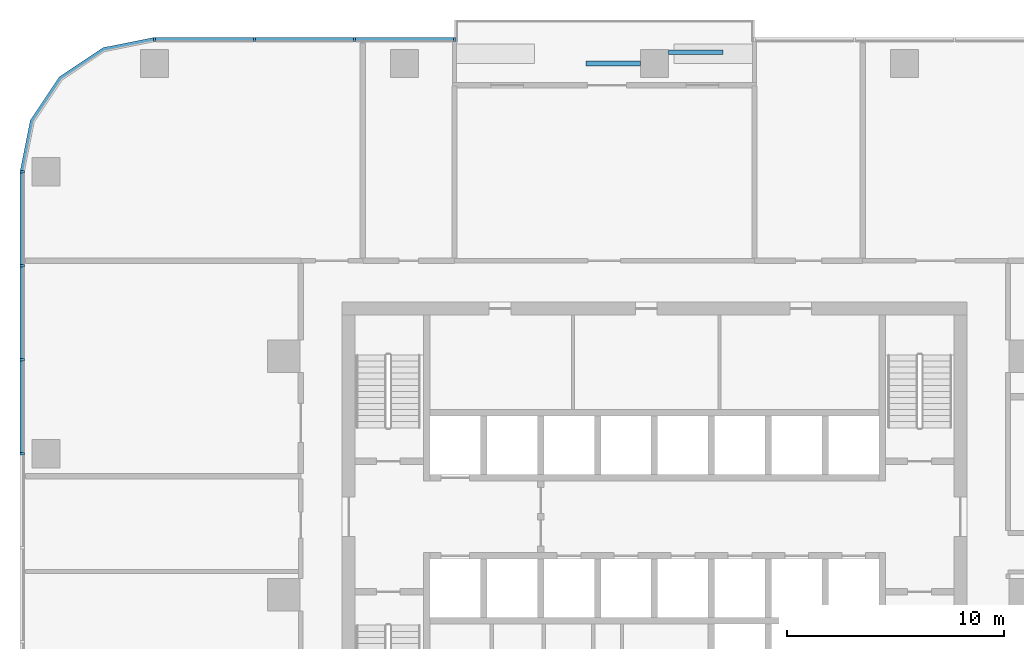
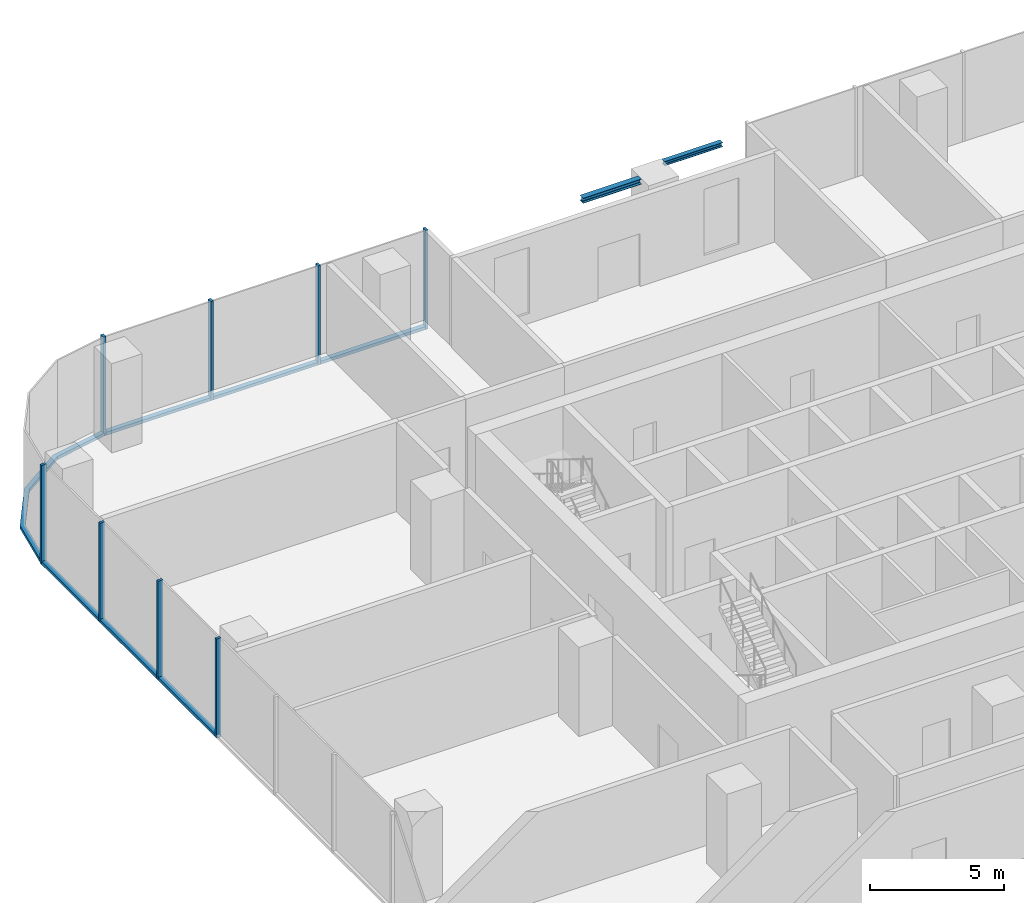
# One storey, part 4 of 14: 15 members, 2 beams, 3 elements without a shape of their own.
"""IFC4 building model written with IfcOpenShell, lengths in metres."""

from ifc_helpers import new_model, si_unit, direction, frame, origin, origin_2d, place, context, subcontext, project, spatial, polyline, rectangle, i_section, outline, extrude, material, material_profile, profile_set, type_object, element, aggregate, save


model = new_model("IFC4")

# Units and contexts
model_context = context("Model", 3, precision=1e-05, world=origin(), true_north=direction((0.0, 1.0)))
body_context = subcontext(model_context, "Body", "Model", "MODEL_VIEW")
ifc_project = project(units=[si_unit("LENGTHUNIT", "METRE"), si_unit("AREAUNIT", "SQUARE_METRE"), si_unit("VOLUMEUNIT", "CUBIC_METRE"), si_unit("PLANEANGLEUNIT", "RADIAN"), si_unit("MASSUNIT", "GRAM", prefix="KILO")], contexts=[model_context])

# Site, building, storey
site_placement = place(None, origin())
site = spatial("IfcSite", under=ifc_project, at=site_placement, CompositionType="ELEMENT")
building_placement = place(site_placement, origin())
building = spatial("IfcBuilding", under=site, at=building_placement, Name="Mopane Tessera Tower", CompositionType="ELEMENT")
storey_placement = place(building_placement, frame((0.0, 0.0, 139.60009765625)))
storey = spatial("IfcBuildingStorey", under=building, at=storey_placement, Name="L28", CompositionType="ELEMENT", Elevation=139.60009765625)

# Curtain wall, members
ifc_material_1 = material(Name="Aluminium frame", Category="aluminium")
curtain_wall_type = type_object("IfcCurtainWallType", Name="Lower tower unitised wall", PredefinedType="NOTDEFINED", material=ifc_material_1)
curtain_wall_1_placement = place(storey_placement, origin())
curtain_wall_1 = element("IfcCurtainWall", 1, at=curtain_wall_1_placement, inside=storey, type_object=curtain_wall_type, Name="e:cw:L28:N:7", PredefinedType="NOTDEFINED")
ifc_material_2 = material(Name="Aluminium frame", Category="aluminium")
ifc_material_profile_1 = material_profile(ifc_material_2, rectangle(XDim=0.110107421875, YDim=0.199951171875, at=origin_2d()))
ifc_profile_set_1 = profile_set([ifc_material_profile_1], Name="Aluminium frame")
member_type_1 = type_object("IfcMemberType", Name="Aluminium mullion 110 x 200", PredefinedType="MULLION", material=ifc_profile_set_1)
member_1_placement = place(storey_placement, frame((-9.219970703125, 25.60009765625, -0.4501953125), z_axis=(0.0, 0.0, 1.0), x_axis=(-1.0, 0.0, 0.0)))
member_1 = element("IfcMember", 2, at=member_1_placement, type_object=member_type_1, Name="e:cw:L28:N:7:mu7", PredefinedType="MULLION", context=body_context, shape_type="SweptSolid", body=[
    extrude(rectangle(XDim=0.110107421875, YDim=0.199951171875, at=origin_2d()), origin(), (0.0, 0.0, 1.0), 4.5),
])
member_2_placement = place(storey_placement, frame((-13.830078125, 25.60009765625, -0.4501953125), z_axis=(0.0, 0.0, 1.0), x_axis=(-1.0, 0.0, 0.0)))
member_2 = element("IfcMember", 3, at=member_2_placement, type_object=member_type_1, Name="e:cw:L28:N:7:mu8", PredefinedType="MULLION", context=body_context, shape_type="SweptSolid", body=[
    extrude(rectangle(XDim=0.110107421875, YDim=0.199951171875, at=origin_2d()), origin(), (0.0, 0.0, 1.0), 4.5),
])
member_3_placement = place(storey_placement, frame((-18.43994140625, 25.60009765625, -0.4501953125), z_axis=(0.0, 0.0, 1.0), x_axis=(-1.0, 0.0, 0.0)))
member_3 = element("IfcMember", 4, at=member_3_placement, type_object=member_type_1, Name="e:cw:L28:N:7:mu9", PredefinedType="MULLION", context=body_context, shape_type="SweptSolid", body=[
    extrude(rectangle(XDim=0.110107421875, YDim=0.199951171875, at=origin_2d()), origin(), (0.0, 0.0, 1.0), 4.5),
])
member_4_placement = place(storey_placement, frame((-23.050048828125, 25.60009765625, -0.4501953125), z_axis=(0.0, 0.0, 1.0), x_axis=(-1.0, 0.0, 0.0)))
member_4 = element("IfcMember", 5, at=member_4_placement, type_object=member_type_1, Name="e:cw:L28:N:7:mu10", PredefinedType="MULLION", context=body_context, shape_type="SweptSolid", body=[
    extrude(rectangle(XDim=0.110107421875, YDim=0.199951171875, at=origin_2d()), origin(), (0.0, 0.0, 1.0), 4.5),
])

curtain_wall_2_placement = place(storey_placement, origin())
curtain_wall_2 = element("IfcCurtainWall", 6, at=curtain_wall_2_placement, inside=storey, type_object=curtain_wall_type, Name="e:cw:L28:W:0", PredefinedType="NOTDEFINED")
member_5_placement = place(storey_placement, frame((-29.14990234375, 19.5, -0.4501953125), z_axis=(0.0, 0.0, 1.0), x_axis=(0.0, -1.0, 0.0)))
member_5 = element("IfcMember", 7, at=member_5_placement, type_object=member_type_1, Name="e:cw:L28:W:0:mu0", PredefinedType="MULLION", context=body_context, shape_type="SweptSolid", body=[
    extrude(rectangle(XDim=0.110107421875, YDim=0.199951171875, at=origin_2d()), origin(), (0.0, 0.0, 1.0), 4.5),
])
member_6_placement = place(storey_placement, frame((-29.14990234375, 15.166748046875, -0.4501953125), z_axis=(0.0, 0.0, 1.0), x_axis=(0.0, -1.0, 0.0)))
member_6 = element("IfcMember", 8, at=member_6_placement, type_object=member_type_1, Name="e:cw:L28:W:0:mu1", PredefinedType="MULLION", context=body_context, shape_type="SweptSolid", body=[
    extrude(rectangle(XDim=0.110107421875, YDim=0.199951171875, at=origin_2d()), origin(), (0.0, 0.0, 1.0), 4.5),
])
member_7_placement = place(storey_placement, frame((-29.14990234375, 10.833251953125, -0.4501953125), z_axis=(0.0, 0.0, 1.0), x_axis=(0.0, -1.0, 0.0)))
member_7 = element("IfcMember", 9, at=member_7_placement, type_object=member_type_1, Name="e:cw:L28:W:0:mu2", PredefinedType="MULLION", context=body_context, shape_type="SweptSolid", body=[
    extrude(rectangle(XDim=0.110107421875, YDim=0.199951171875, at=origin_2d()), origin(), (0.0, 0.0, 1.0), 4.5),
])
member_8_placement = place(storey_placement, frame((-29.14990234375, 6.5, -0.4501953125), z_axis=(0.0, 0.0, 1.0), x_axis=(0.0, -1.0, 0.0)))
member_8 = element("IfcMember", 10, at=member_8_placement, type_object=member_type_1, Name="e:cw:L28:W:0:mu3", PredefinedType="MULLION", context=body_context, shape_type="SweptSolid", body=[
    extrude(rectangle(XDim=0.110107421875, YDim=0.199951171875, at=origin_2d()), origin(), (0.0, 0.0, 1.0), 4.5),
])

# Member
ifc_material_3 = material(Name="Aluminium frame", Category="aluminium")
ifc_material_profile_2 = material_profile(ifc_material_3, rectangle(XDim=0.199951171875, YDim=0.139892578125, at=origin_2d()))
ifc_profile_set_2 = profile_set([ifc_material_profile_2], Name="Aluminium frame")
member_type_2 = type_object("IfcMemberType", Name="Aluminium transom 200 x 140", PredefinedType="USERDEFINED", material=ifc_profile_set_2)
member_9_placement = place(storey_placement, frame((-9.27490234375, 25.60009765625, -0.380126953125), z_axis=(-1.0, 0.0, 0.0), x_axis=(0.0, -1.0, 0.0)))
member_9 = element("IfcMember", 11, at=member_9_placement, type_object=member_type_2, Name="e:cw:L28:N:7:tr7", ObjectType="TRANSOM", PredefinedType="USERDEFINED", context=body_context, shape_type="SweptSolid", body=[
    extrude(rectangle(XDim=0.199951171875, YDim=0.139892578125, at=origin_2d()), origin(), (0.0, 0.0, 1.0), 4.5),
])

member_10_placement = place(storey_placement, frame((-13.885009765625, 25.60009765625, -0.380126953125), z_axis=(-1.0, 0.0, 0.0), x_axis=(0.0, -1.0, 0.0)))
member_10 = element("IfcMember", 12, at=member_10_placement, type_object=member_type_2, Name="e:cw:L28:N:7:tr8", ObjectType="TRANSOM", PredefinedType="USERDEFINED", context=body_context, shape_type="SweptSolid", body=[
    extrude(rectangle(XDim=0.199951171875, YDim=0.139892578125, at=origin_2d()), origin(), (0.0, 0.0, 1.0), 4.5),
])

member_11_placement = place(storey_placement, frame((-18.4951171875, 25.60009765625, -0.380126953125), z_axis=(-1.0, 0.0, 0.0), x_axis=(0.0, -1.0, 0.0)))
member_11 = element("IfcMember", 13, at=member_11_placement, type_object=member_type_2, Name="e:cw:L28:N:7:tr9", ObjectType="TRANSOM", PredefinedType="USERDEFINED", context=body_context, shape_type="SweptSolid", body=[
    extrude(rectangle(XDim=0.199951171875, YDim=0.139892578125, at=origin_2d()), origin(), (0.0, 0.0, 1.0), 4.5),
])

aggregate(curtain_wall_1, [member_1, member_2, member_3, member_4, member_9, member_10, member_11])

# Curtain wall, member
curtain_wall_3_placement = place(storey_placement, origin())
curtain_wall_3 = element("IfcCurtainWall", 14, at=curtain_wall_3_placement, inside=storey, type_object=curtain_wall_type, Name="e:cw:L28:CN", PredefinedType="NOTDEFINED")
member_12_placement = place(storey_placement, frame((0.0, 0.0, -0.4501953125)))
member_12 = element("IfcMember", 15, at=member_12_placement, type_object=member_type_2, Name="e:cw:L28:CN:tr", ObjectType="TRANSOM", PredefinedType="USERDEFINED", context=body_context, shape_type="SweptSolid", body=[
    extrude(outline(polyline([(-23.050048828125, 25.5), (-25.34619140625, 25.043212890625), (-27.292724609375, 23.74267578125), (-28.59326171875, 21.796142578125), (-29.050048828125, 19.5), (-29.25, 19.5), (-28.778076171875, 21.87255859375), (-27.43408203125, 23.884033203125), (-25.422607421875, 25.22802734375), (-23.050048828125, 25.699951171875), (-23.050048828125, 25.5)])), origin(), (0.0, 0.0, 1.0), 0.14013671875),
])
aggregate(curtain_wall_3, [member_12])

# Member
member_13_placement = place(storey_placement, frame((-29.14990234375, 19.445068359375, -0.380126953125), z_axis=(0.0, -1.0, 0.0), x_axis=(1.0, 0.0, 0.0)))
member_13 = element("IfcMember", 16, at=member_13_placement, type_object=member_type_2, Name="e:cw:L28:W:0:tr0", ObjectType="TRANSOM", PredefinedType="USERDEFINED", context=body_context, shape_type="SweptSolid", body=[
    extrude(rectangle(XDim=0.199951171875, YDim=0.139892578125, at=origin_2d()), origin(), (0.0, 0.0, 1.0), 4.223388671875),
])

member_14_placement = place(storey_placement, frame((-29.14990234375, 15.111572265625, -0.380126953125), z_axis=(0.0, -1.0, 0.0), x_axis=(1.0, 0.0, 0.0)))
member_14 = element("IfcMember", 17, at=member_14_placement, type_object=member_type_2, Name="e:cw:L28:W:0:tr1", ObjectType="TRANSOM", PredefinedType="USERDEFINED", context=body_context, shape_type="SweptSolid", body=[
    extrude(rectangle(XDim=0.199951171875, YDim=0.139892578125, at=origin_2d()), origin(), (0.0, 0.0, 1.0), 4.22314453125),
])

member_15_placement = place(storey_placement, frame((-29.14990234375, 10.7783203125, -0.380126953125), z_axis=(0.0, -1.0, 0.0), x_axis=(1.0, 0.0, 0.0)))
member_15 = element("IfcMember", 18, at=member_15_placement, type_object=member_type_2, Name="e:cw:L28:W:0:tr2", ObjectType="TRANSOM", PredefinedType="USERDEFINED", context=body_context, shape_type="SweptSolid", body=[
    extrude(rectangle(XDim=0.199951171875, YDim=0.139892578125, at=origin_2d()), origin(), (0.0, 0.0, 1.0), 4.223388671875),
])

aggregate(curtain_wall_2, [member_5, member_6, member_7, member_8, member_13, member_14, member_15])

# Beams
ifc_material_4 = material(Name="Structural steel S460", Category="steel")
ifc_material_profile_3 = material_profile(ifc_material_4, i_section(OverallWidth=0.239990234375, OverallDepth=0.239990234375, WebThickness=0.010009765625, FlangeThickness=0.01708984375, FilletRadius=0.02099609375, at=origin_2d()))
ifc_profile_set_3 = profile_set([ifc_material_profile_3], Name="Structural steel S460")
beam_type_1 = type_object("IfcBeamType", Name="Terrace spandrel beam HE 240 B", PredefinedType="SPANDREL", material=ifc_profile_set_3)
beam_1_placement = place(storey_placement, frame((-0.653076171875, 24.5, 3.929931640625), z_axis=(-1.0, 0.0, 0.0), x_axis=(0.0, -1.0, 0.0)))
element("IfcBeam", 19, at=beam_1_placement, inside=storey, type_object=beam_type_1, Name="Terrace spandrel beam N1 L29", PredefinedType="SPANDREL", context=body_context, shape_type="SweptSolid", body=[
    extrude(i_section(OverallWidth=0.239990234375, OverallDepth=0.239990234375, WebThickness=0.010009765625, FlangeThickness=0.01708984375, FilletRadius=0.02099609375, at=origin_2d()), origin(), (0.0, 0.0, 1.0), 2.5),
])
ifc_material_5 = material(Name="Structural steel S460", Category="steel")
ifc_material_profile_4 = material_profile(ifc_material_5, i_section(OverallWidth=0.199951171875, OverallDepth=0.199951171875, WebThickness=0.009033203125, FlangeThickness=0.014892578125, FilletRadius=0.01806640625, at=origin_2d()))
ifc_profile_set_4 = profile_set([ifc_material_profile_4], Name="Structural steel S460")
beam_type_2 = type_object("IfcBeamType", Name="Terrace trimmer beam HE 200 B", PredefinedType="BEAM", material=ifc_profile_set_4)
beam_2_placement = place(storey_placement, frame((0.653076171875, 25.02001953125, 3.949951171875), z_axis=(1.0, 0.0, 0.0), x_axis=(0.0, 1.0, 0.0)))
element("IfcBeam", 20, at=beam_2_placement, inside=storey, type_object=beam_type_2, Name="Terrace trimmer beam N1 L29", PredefinedType="BEAM", context=body_context, shape_type="SweptSolid", body=[
    extrude(i_section(OverallWidth=0.199951171875, OverallDepth=0.199951171875, WebThickness=0.009033203125, FlangeThickness=0.014892578125, FilletRadius=0.01806640625, at=origin_2d()), origin(), (0.0, 0.0, 1.0), 2.5),
])

save(model, "model.ifc")
